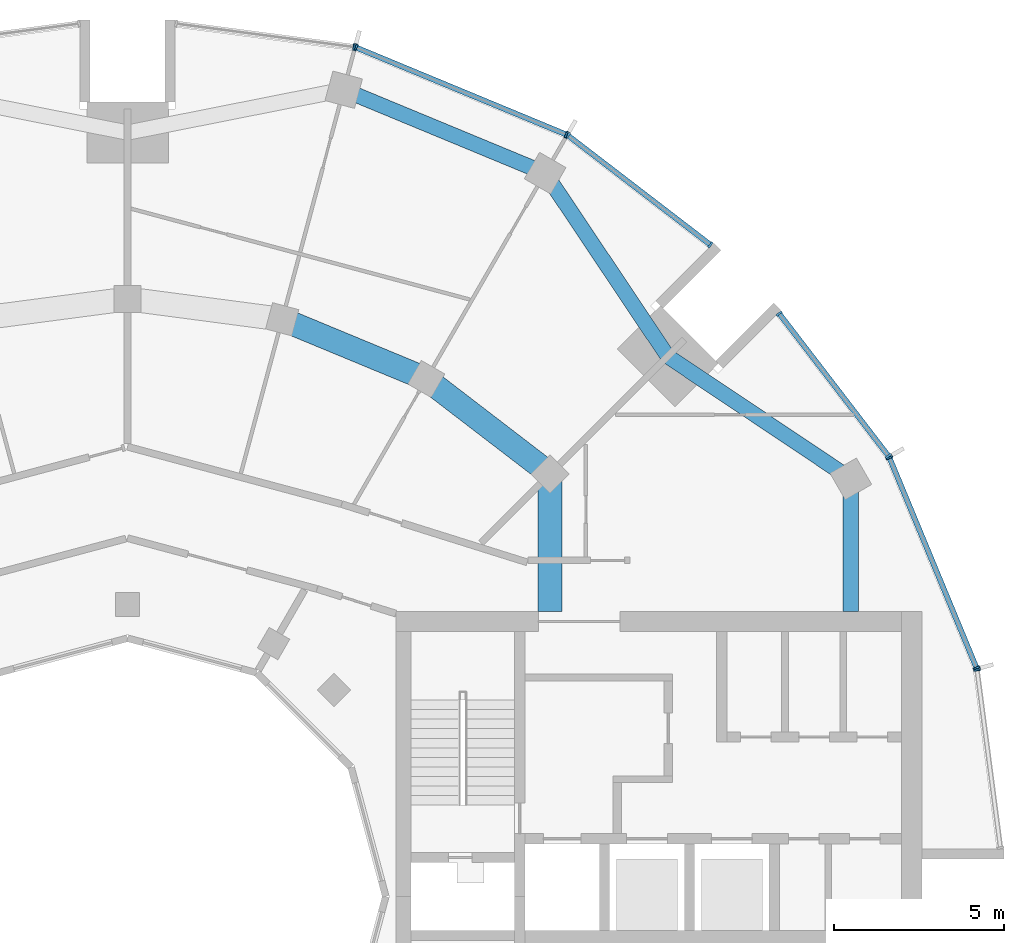
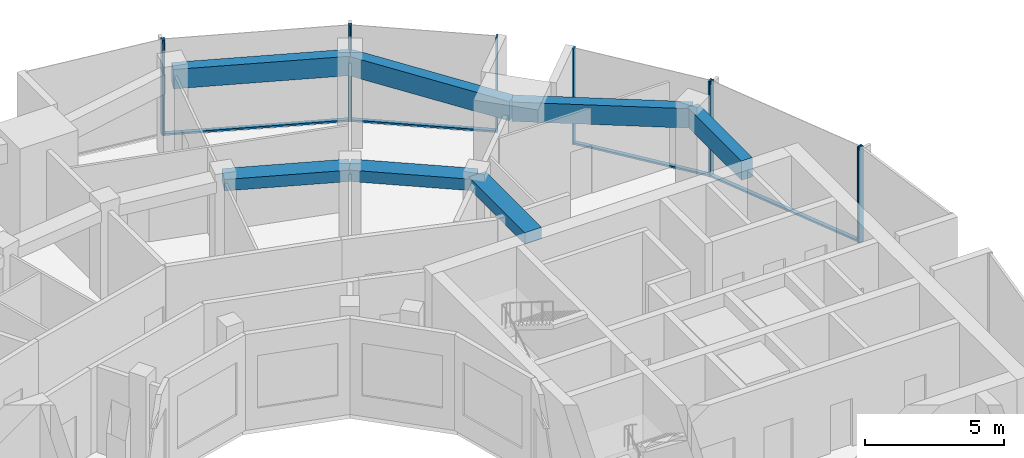
# One storey, part 6 of 15: 14 members, 7 beams, 6 elements without a shape of their own.
"""IFC4 building model written with IfcOpenShell, lengths in metres."""

from ifc_helpers import new_model, si_unit, direction, frame, origin, origin_2d, place, context, subcontext, project, spatial, rectangle, extrude, material, layer, layer_set, material_profile, profile_set, type_object, element, aggregate, save


model = new_model("IFC4")

# Units and contexts
model_context = context("Model", 3, precision=1e-05, world=origin(), true_north=direction((0.0, 1.0)))
body_context = subcontext(model_context, "Body", "Model", "MODEL_VIEW")
ifc_project = project(units=[si_unit("LENGTHUNIT", "METRE"), si_unit("AREAUNIT", "SQUARE_METRE"), si_unit("VOLUMEUNIT", "CUBIC_METRE"), si_unit("PLANEANGLEUNIT", "RADIAN"), si_unit("MASSUNIT", "GRAM", prefix="KILO")], contexts=[model_context])

# Site, building, storey
site_placement = place(None, origin())
site = spatial("IfcSite", under=ifc_project, at=site_placement, CompositionType="ELEMENT")
building_placement = place(site_placement, origin())
building = spatial("IfcBuilding", under=site, at=building_placement, Name="Torre Brocal", CompositionType="ELEMENT")
storey_placement = place(building_placement, frame((0.0, 0.0, 216.699951171875)))
storey = spatial("IfcBuildingStorey", under=building, at=storey_placement, Name="L50", CompositionType="ELEMENT", Elevation=216.699951171875)

# Curtain wall, members
ifc_material_1 = material(Name="Aluminium and glass", Category="aluminium")
ifc_layer_1 = layer(ifc_material_1, 0.199951171875)
ifc_layer_set_1 = layer_set([ifc_layer_1], Name="Aluminium and glass")
curtain_wall_type_1 = type_object("IfcCurtainWallType", Name="CW-1 CURTAIN WALL 4200 HIGH", PredefinedType="NOTDEFINED", material=ifc_layer_set_1)
curtain_wall_1_placement = place(storey_placement, origin())
curtain_wall_1 = element("IfcCurtainWall", 1, at=curtain_wall_1_placement, inside=storey, type_object=curtain_wall_type_1, Name="CW-1 RUN 2", PredefinedType="NOTDEFINED")
ifc_material_2 = material(Name="Aluminium, dark anodised", Category="aluminium")
ifc_material_profile_1 = material_profile(ifc_material_2, rectangle(XDim=0.199951171875, YDim=0.06005859375, at=origin_2d()), Name="CW-1 MULLION 60X200")
ifc_profile_set_1 = profile_set([ifc_material_profile_1], Name="Aluminium, dark anodised")
member_type_1 = type_object("IfcMemberType", Name="CW-1 MULLION 60X200", PredefinedType="MULLION", material=ifc_profile_set_1)
member_1_placement = place(storey_placement, frame((105.005126953125, 81.73095703125, 0.0), z_axis=(0.0, 0.0, 1.0), x_axis=(-0.923879532525, -0.382683432333, 0.0)))
member_1 = element("IfcMember", 2, at=member_1_placement, type_object=member_type_1, Name="CW1-5 mullion 1", PredefinedType="MULLION", context=body_context, shape_type="SweptSolid", body=[
    extrude(rectangle(XDim=0.199951171875, YDim=0.06005859375, at=origin_2d()), origin(), (0.0, 0.0, 1.0), 4.199951171875),
])
member_2_placement = place(storey_placement, frame((102.440673828125, 87.921875, 0.0), z_axis=(0.0, 0.0, 1.0), x_axis=(-0.923879532525, -0.382683432333, 0.0)))
member_2 = element("IfcMember", 3, at=member_2_placement, type_object=member_type_1, Name="CW1-5 mullion 2", PredefinedType="MULLION", context=body_context, shape_type="SweptSolid", body=[
    extrude(rectangle(XDim=0.199951171875, YDim=0.06005859375, at=origin_2d()), origin(), (0.0, 0.0, 1.0), 4.199951171875),
])

curtain_wall_2_placement = place(storey_placement, origin())
curtain_wall_2 = element("IfcCurtainWall", 4, at=curtain_wall_2_placement, inside=storey, type_object=curtain_wall_type_1, Name="CW-1 RUN 3", PredefinedType="NOTDEFINED")
member_3_placement = place(storey_placement, frame((102.4111328125, 87.973388671875, 0.0), z_axis=(0.0, 0.0, 1.0), x_axis=(-0.793353340259, -0.60876142905, 0.0)))
member_3 = element("IfcMember", 5, at=member_3_placement, type_object=member_type_1, Name="CW1-5 mullion 1", PredefinedType="MULLION", context=body_context, shape_type="SweptSolid", body=[
    extrude(rectangle(XDim=0.199951171875, YDim=0.06005859375, at=origin_2d()), origin(), (0.0, 0.0, 1.0), 4.199951171875),
])
member_4_placement = place(storey_placement, frame((99.19140625, 92.16943359375, 0.0), z_axis=(0.0, 0.0, 1.0), x_axis=(-0.793353340259, -0.60876142905, 0.0)))
member_4 = element("IfcMember", 6, at=member_4_placement, type_object=member_type_1, Name="CW1-5 mullion 2", PredefinedType="MULLION", context=body_context, shape_type="SweptSolid", body=[
    extrude(rectangle(XDim=0.199951171875, YDim=0.06005859375, at=origin_2d()), origin(), (0.0, 0.0, 1.0), 4.199951171875),
])

curtain_wall_3_placement = place(storey_placement, origin())
curtain_wall_3 = element("IfcCurtainWall", 7, at=curtain_wall_3_placement, inside=storey, type_object=curtain_wall_type_1, Name="CW-1 RUN 4", PredefinedType="NOTDEFINED")
member_5_placement = place(storey_placement, frame((97.16943359375, 94.19140625, 0.0), z_axis=(0.0, 0.0, 1.0), x_axis=(-0.60876142905, -0.793353340259, 0.0)))
member_5 = element("IfcMember", 8, at=member_5_placement, type_object=member_type_1, Name="CW1-5 mullion 1", PredefinedType="MULLION", context=body_context, shape_type="SweptSolid", body=[
    extrude(rectangle(XDim=0.199951171875, YDim=0.06005859375, at=origin_2d()), origin(), (0.0, 0.0, 1.0), 4.199951171875),
])
member_6_placement = place(storey_placement, frame((92.973388671875, 97.4111328125, 0.0), z_axis=(0.0, 0.0, 1.0), x_axis=(-0.60876142905, -0.793353340259, 0.0)))
member_6 = element("IfcMember", 9, at=member_6_placement, type_object=member_type_1, Name="CW1-5 mullion 2", PredefinedType="MULLION", context=body_context, shape_type="SweptSolid", body=[
    extrude(rectangle(XDim=0.199951171875, YDim=0.06005859375, at=origin_2d()), origin(), (0.0, 0.0, 1.0), 4.199951171875),
])

curtain_wall_4_placement = place(storey_placement, origin())
curtain_wall_4 = element("IfcCurtainWall", 10, at=curtain_wall_4_placement, inside=storey, type_object=curtain_wall_type_1, Name="CW-1 RUN 5", PredefinedType="NOTDEFINED")
member_7_placement = place(storey_placement, frame((92.921875, 97.440673828125, 0.0), z_axis=(0.0, 0.0, 1.0), x_axis=(-0.382683432333, -0.923879532525, 0.0)))
member_7 = element("IfcMember", 11, at=member_7_placement, type_object=member_type_1, Name="CW1-5 mullion 1", PredefinedType="MULLION", context=body_context, shape_type="SweptSolid", body=[
    extrude(rectangle(XDim=0.199951171875, YDim=0.06005859375, at=origin_2d()), origin(), (0.0, 0.0, 1.0), 4.199951171875),
])
member_8_placement = place(storey_placement, frame((86.73095703125, 100.005126953125, 0.0), z_axis=(0.0, 0.0, 1.0), x_axis=(-0.382683432333, -0.923879532525, 0.0)))
member_8 = element("IfcMember", 12, at=member_8_placement, type_object=member_type_1, Name="CW1-5 mullion 2", PredefinedType="MULLION", context=body_context, shape_type="SweptSolid", body=[
    extrude(rectangle(XDim=0.199951171875, YDim=0.06005859375, at=origin_2d()), origin(), (0.0, 0.0, 1.0), 4.199951171875),
])

# Curtain wall, member
curtain_wall_5_placement = place(storey_placement, origin())
curtain_wall_5 = element("IfcCurtainWall", 13, at=curtain_wall_5_placement, inside=storey, type_object=curtain_wall_type_1, Name="CW-1 RUN 6", PredefinedType="NOTDEFINED")
member_9_placement = place(storey_placement, frame((86.67333984375, 100.0205078125, 0.0), z_axis=(0.0, 0.0, 1.0), x_axis=(-0.13052619222, -0.991444861374, 0.0)))
member_9 = element("IfcMember", 14, at=member_9_placement, type_object=member_type_1, Name="CW1-5 mullion 1", PredefinedType="MULLION", context=body_context, shape_type="SweptSolid", body=[
    extrude(rectangle(XDim=0.199951171875, YDim=0.06005859375, at=origin_2d()), origin(), (0.0, 0.0, 1.0), 4.199951171875),
])
aggregate(curtain_wall_5, [member_9])

# Member
ifc_material_3 = material(Name="Aluminium, dark anodised", Category="aluminium")
ifc_material_profile_2 = material_profile(ifc_material_3, rectangle(XDim=0.159912109375, YDim=0.080078125, at=origin_2d()), Name="CW-1 TRANSOM 160X80")
ifc_profile_set_2 = profile_set([ifc_material_profile_2], Name="Aluminium, dark anodised")
member_type_2 = type_object("IfcMemberType", Name="CW-1 TRANSOM 160X80", PredefinedType="USERDEFINED", material=ifc_profile_set_2)
member_10_placement = place(storey_placement, frame((104.99365234375, 81.758544921875, 0.0400390625), z_axis=(-0.38266457234, 0.923887344364, 0.0), x_axis=(-0.923887344364, -0.38266457234, 0.0)))
member_10 = element("IfcMember", 15, at=member_10_placement, type_object=member_type_2, Name="CW1-5 transom 1.1", ObjectType="TRANSOM", PredefinedType="USERDEFINED", context=body_context, shape_type="SweptSolid", body=[
    extrude(rectangle(XDim=0.159912109375, YDim=0.080078125, at=origin_2d()), origin(), (0.0, 0.0, 1.0), 6.640869140625),
])

aggregate(curtain_wall_1, [member_1, member_2, member_10])

member_11_placement = place(storey_placement, frame((102.392822265625, 87.9970703125, 0.0400390625), z_axis=(-0.60874908096, 0.79336281513, 0.0), x_axis=(-0.79336281513, -0.60874908096, 0.0)))
member_11 = element("IfcMember", 16, at=member_11_placement, type_object=member_type_2, Name="CW1-5 transom 1.1", ObjectType="TRANSOM", PredefinedType="USERDEFINED", context=body_context, shape_type="SweptSolid", body=[
    extrude(rectangle(XDim=0.159912109375, YDim=0.080078125, at=origin_2d()), origin(), (0.0, 0.0, 1.0), 5.22900390625),
])

aggregate(curtain_wall_2, [member_3, member_4, member_11])

member_12_placement = place(storey_placement, frame((97.1455078125, 94.209716796875, 0.0400390625), z_axis=(-0.79336281513, 0.60874908096, 0.0), x_axis=(-0.60874908096, -0.79336281513, 0.0)))
member_12 = element("IfcMember", 17, at=member_12_placement, type_object=member_type_2, Name="CW1-5 transom 1.1", ObjectType="TRANSOM", PredefinedType="USERDEFINED", context=body_context, shape_type="SweptSolid", body=[
    extrude(rectangle(XDim=0.159912109375, YDim=0.080078125, at=origin_2d()), origin(), (0.0, 0.0, 1.0), 5.22900390625),
])

aggregate(curtain_wall_3, [member_5, member_6, member_12])

member_13_placement = place(storey_placement, frame((92.89404296875, 97.452392578125, 0.0400390625), z_axis=(-0.923887344364, 0.38266457234, 0.0), x_axis=(-0.38266457234, -0.923887344364, 0.0)))
member_13 = element("IfcMember", 18, at=member_13_placement, type_object=member_type_2, Name="CW1-5 transom 1.1", ObjectType="TRANSOM", PredefinedType="USERDEFINED", context=body_context, shape_type="SweptSolid", body=[
    extrude(rectangle(XDim=0.159912109375, YDim=0.080078125, at=origin_2d()), origin(), (0.0, 0.0, 1.0), 6.640869140625),
])

aggregate(curtain_wall_4, [member_7, member_8, member_13])

# Curtain wall, member
ifc_material_4 = material(Name="Aluminium and glass", Category="aluminium")
ifc_layer_2 = layer(ifc_material_4, 0.199951171875)
ifc_layer_set_2 = layer_set([ifc_layer_2], Name="Aluminium and glass")
curtain_wall_type_2 = type_object("IfcCurtainWallType", Name="CW-1B CURTAIN WALL 4200 HIGH", PredefinedType="NOTDEFINED", material=ifc_layer_set_2)
curtain_wall_6_placement = place(storey_placement, origin())
curtain_wall_6 = element("IfcCurtainWall", 19, at=curtain_wall_6_placement, inside=storey, type_object=curtain_wall_type_2, Name="CW-1B RUN 1", PredefinedType="NOTDEFINED")
ifc_material_5 = material(Name="Aluminium, dark anodised", Category="aluminium")
ifc_material_profile_3 = material_profile(ifc_material_5, rectangle(XDim=0.199951171875, YDim=0.06005859375, at=origin_2d()), Name="CW-1B MULLION 60X200")
ifc_profile_set_3 = profile_set([ifc_material_profile_3], Name="Aluminium, dark anodised")
member_type_3 = type_object("IfcMemberType", Name="CW-1B MULLION 60X200", PredefinedType="MULLION", material=ifc_profile_set_3)
member_14_placement = place(storey_placement, frame((105.0205078125, 81.67333984375, 0.0), z_axis=(0.0, 0.0, 1.0), x_axis=(-0.991444861374, -0.13052619222, 0.0)))
member_14 = element("IfcMember", 20, at=member_14_placement, type_object=member_type_3, Name="CW1B-5 mullion 2", PredefinedType="MULLION", context=body_context, shape_type="SweptSolid", body=[
    extrude(rectangle(XDim=0.199951171875, YDim=0.06005859375, at=origin_2d()), origin(), (0.0, 0.0, 1.0), 4.199951171875),
])
aggregate(curtain_wall_6, [member_14])

# Beams
ifc_material_6 = material(Name="Concrete C50", Category="concrete")
ifc_material_profile_4 = material_profile(ifc_material_6, rectangle(XDim=0.699951171875, YDim=0.5, at=origin_2d()), Name="RC 700X500")
ifc_profile_set_4 = profile_set([ifc_material_profile_4], Name="Concrete C50")
beam_type_1 = type_object("IfcBeamType", Name="RC BEAM 700X500 C50 TOP 3880", PredefinedType="BEAM", material=ifc_profile_set_4)
beam_1_placement = place(storey_placement, frame((92.445068359375, 87.445068359375, 3.630126953125), z_axis=(-0.793358265959, 0.6087550097, 0.0), x_axis=(-0.6087550097, -0.793358265959, 0.0)))
element("IfcBeam", 21, at=beam_1_placement, inside=storey, type_object=beam_type_1, Name="Beam BT-37", PredefinedType="BEAM", context=body_context, shape_type="SweptSolid", body=[
    extrude(rectangle(XDim=0.699951171875, YDim=0.5, at=origin_2d()), origin(), (0.0, 0.0, 1.0), 4.594482421875),
])
beam_2_placement = place(storey_placement, frame((88.800048828125, 90.241943359375, 3.630126953125), z_axis=(-0.923878240166, 0.382686552348, 0.0), x_axis=(-0.382686552348, -0.923878240166, 0.0)))
element("IfcBeam", 22, at=beam_2_placement, inside=storey, type_object=beam_type_1, Name="Beam BT-37", PredefinedType="BEAM", context=body_context, shape_type="SweptSolid", body=[
    extrude(rectangle(XDim=0.699951171875, YDim=0.5, at=origin_2d()), origin(), (0.0, 0.0, 1.0), 4.5947265625),
])
beam_3_placement = place(storey_placement, frame((92.445068359375, 87.445068359375, 3.630126953125), z_axis=(0.0, -1.0, 0.0), x_axis=(1.0, 0.0, 0.0)))
element("IfcBeam", 23, at=beam_3_placement, inside=storey, type_object=beam_type_1, Name="Beam BT-37", PredefinedType="BEAM", context=body_context, shape_type="SweptSolid", body=[
    extrude(rectangle(XDim=0.699951171875, YDim=0.5, at=origin_2d()), origin(), (0.0, 0.0, 1.0), 4.045166015625),
])
ifc_material_7 = material(Name="Concrete C50", Category="concrete")
ifc_material_profile_5 = material_profile(ifc_material_7, rectangle(XDim=0.449951171875, YDim=0.85009765625, at=origin_2d()), Name="RC 450X850")
ifc_profile_set_5 = profile_set([ifc_material_profile_5], Name="Concrete C50")
beam_type_2 = type_object("IfcBeamType", Name="RC SPANDREL BEAM 450X850 C50 TOP 3880", PredefinedType="SPANDREL", material=ifc_profile_set_5)
for number, where, z_axis, x_axis, name in (
    (24, (101.30419921875, 87.300048828125, 3.455078125), (-0.831076844476, 0.556157602282, 0.0), (-0.556157602282, -0.831076844476, 0.0), "Beam BT-38"),
    (25, (95.909912109375, 90.909912109375, 3.455078125), (-0.556157602282, 0.831076844476, 0.0), (-0.831076844476, -0.556157602282, 0.0), "Beam BT-38"),
):
    element("IfcBeam", number, at=place(storey_placement, frame(where, z_axis=z_axis, x_axis=x_axis)), inside=storey, type_object=beam_type_2, Name=name, PredefinedType="SPANDREL", context=body_context, shape_type="SweptSolid", body=[
        extrude(rectangle(XDim=0.449951171875, YDim=0.85009765625, at=origin_2d()), origin(), (0.0, 0.0, 1.0), 6.49072265625),
    ])
beam_4_placement = place(storey_placement, frame((92.300048828125, 96.30419921875, 3.455078125), z_axis=(-0.923882462513, 0.382676358639, 0.0), x_axis=(-0.382676358639, -0.923882462513, 0.0)))
element("IfcBeam", 26, at=beam_4_placement, inside=storey, type_object=beam_type_2, Name="Beam BT-38", PredefinedType="SPANDREL", context=body_context, shape_type="SweptSolid", body=[
    extrude(rectangle(XDim=0.449951171875, YDim=0.85009765625, at=origin_2d()), origin(), (0.0, 0.0, 1.0), 6.421875),
])
beam_5_placement = place(storey_placement, frame((101.30419921875, 87.300048828125, 3.455078125), z_axis=(0.0, -1.0, 0.0), x_axis=(1.0, 0.0, 0.0)))
element("IfcBeam", 27, at=beam_5_placement, inside=storey, type_object=beam_type_2, Name="Beam BT-38", PredefinedType="SPANDREL", context=body_context, shape_type="SweptSolid", body=[
    extrude(rectangle(XDim=0.449951171875, YDim=0.85009765625, at=origin_2d()), origin(), (0.0, 0.0, 1.0), 3.900146484375),
])

save(model, "model.ifc")
